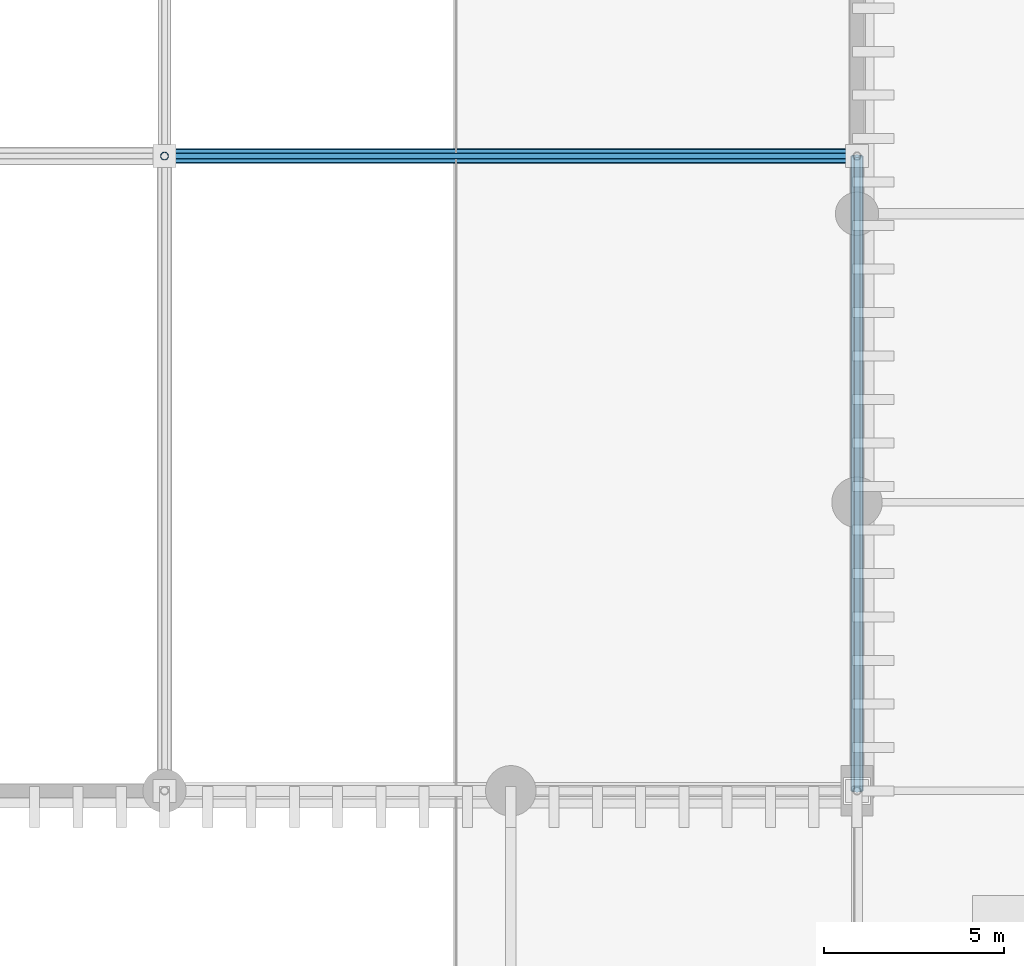
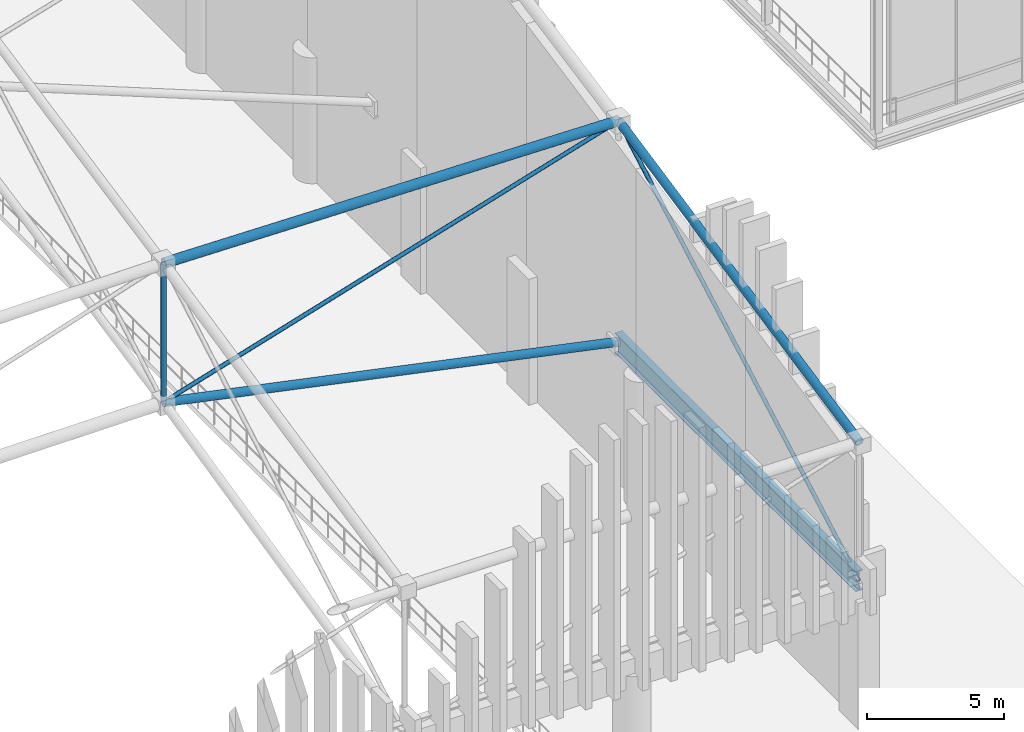
# One storey, part 63 of 193: 6 members, 1 beam.
"""IFC4 building model written with IfcOpenShell, lengths in metres."""

from ifc_helpers import new_model, si_unit, direction, frame, origin, origin_2d, place, context, subcontext, project, spatial, hollow_circle, i_section, extrude, material, material_profile, profile_set, type_object, element, save


model = new_model("IFC4")

# Units and contexts
model_context = context("Model", 3, precision=1e-05, world=origin(), true_north=direction((0.0, 1.0)))
body_context = subcontext(model_context, "Body", "Model", "MODEL_VIEW")
ifc_project = project(units=[si_unit("LENGTHUNIT", "METRE"), si_unit("AREAUNIT", "SQUARE_METRE"), si_unit("VOLUMEUNIT", "CUBIC_METRE"), si_unit("PLANEANGLEUNIT", "RADIAN"), si_unit("MASSUNIT", "GRAM", prefix="KILO")], contexts=[model_context])

# Site, building, storey
site_placement = place(None, origin())
site = spatial("IfcSite", under=ifc_project, at=site_placement, CompositionType="ELEMENT")
building_placement = place(site_placement, origin())
building = spatial("IfcBuilding", under=site, at=building_placement, Name="Danafjord Basin Convention Centre", CompositionType="ELEMENT")
storey_placement = place(building_placement, frame((0.0, 0.0, 11.39990234375)))
storey = spatial("IfcBuildingStorey", under=building, at=storey_placement, Name="L02", CompositionType="ELEMENT", Elevation=11.39990234375)

# Beam
ifc_material = material(Name="Steel S355", Category="steel")
ifc_material_profile_1 = material_profile(ifc_material, i_section(OverallWidth=0.300048828125, OverallDepth=0.89990234375, WebThickness=0.0185546875, FlangeThickness=0.034912109375, FilletRadius=0.030029296875, at=origin_2d()), Name="HEB 900")
ifc_profile_set_1 = profile_set([ifc_material_profile_1], Name="Steel S355")
beam_type = type_object("IfcBeamType", Name="BEAM-BM-HEB900", PredefinedType="BEAM", material=ifc_profile_set_1)
beam_placement = place(storey_placement, frame((115.199951171875, 56.0, 6.050048828125), z_axis=(0.0, 1.0, 0.0), x_axis=(-1.0, 0.0, 0.0)))
element("IfcBeam", 1, at=beam_placement, inside=storey, type_object=beam_type, Name="V1 space-frame perimeter ring girder", PredefinedType="BEAM", context=body_context, shape_type="SweptSolid", body=[
    extrude(i_section(OverallWidth=0.300048828125, OverallDepth=0.89990234375, WebThickness=0.0185546875, FlangeThickness=0.034912109375, FilletRadius=0.030029296875, at=origin_2d()), origin(), (0.0, 0.0, 1.0), 17.60009765625),
])

# Members
ifc_material_profile_2 = material_profile(ifc_material, hollow_circle(Radius=0.177734375, WallThickness=0.01611328125, at=origin_2d()), Name="CHS 355.6x16.0")
ifc_profile_set_2 = profile_set([ifc_material_profile_2], Name="Steel S355")
member_type_1 = type_object("IfcMemberType", Name="MEM-CH-CHS355", PredefinedType="CHORD", material=ifc_profile_set_2)
member_1_placement = place(storey_placement, frame((96.0, 73.60009765625, 10.07080078125), z_axis=(0.978768565512, 0.0, -0.204968522379), x_axis=(0.0, 1.0, 0.0)))
element("IfcMember", 2, at=member_1_placement, inside=storey, type_object=member_type_1, Name="V1 roof truss longitudinal bottom chord", PredefinedType="CHORD", context=body_context, shape_type="SweptSolid", body=[
    extrude(hollow_circle(Radius=0.177734375, WallThickness=0.01611328125, at=origin_2d()), origin(), (0.0, 0.0, 1.0), 19.616455078125),
])
member_2_placement = place(storey_placement, frame((115.199951171875, 56.0, 12.25), z_axis=(0.0, 0.979044772718, 0.203645115368), x_axis=(-1.0, 0.0, 0.0)))
element("IfcMember", 3, at=member_2_placement, inside=storey, type_object=member_type_1, Name="V1 roof truss transverse top chord", PredefinedType="CHORD", context=body_context, shape_type="SweptSolid", body=[
    extrude(hollow_circle(Radius=0.177734375, WallThickness=0.01611328125, at=origin_2d()), origin(), (0.0, 0.0, 1.0), 17.976806640625),
])
ifc_material_profile_3 = material_profile(ifc_material, hollow_circle(Radius=0.203125, WallThickness=0.02001953125, at=origin_2d()), Name="CHS 406.4x20.0")
ifc_profile_set_3 = profile_set([ifc_material_profile_3], Name="Steel S355")
member_type_2 = type_object("IfcMemberType", Name="MEM-CH-CHS406", PredefinedType="CHORD", material=ifc_profile_set_3)
member_3_placement = place(storey_placement, frame((96.0, 73.60009765625, 16.27099609375), z_axis=(0.999824159326, 0.0, -0.018752344583), x_axis=(0.0, 1.0, 0.0)))
element("IfcMember", 4, at=member_3_placement, inside=storey, type_object=member_type_2, Name="V1 roof truss longitudinal top chord", PredefinedType="CHORD", context=body_context, shape_type="SweptSolid", body=[
    extrude(hollow_circle(Radius=0.203125, WallThickness=0.02001953125, at=origin_2d()), origin(), (0.0, 0.0, 1.0), 19.203369140625),
])
ifc_material_profile_4 = material_profile(ifc_material, hollow_circle(Radius=0.109619140625, WallThickness=0.010009765625, at=origin_2d()), Name="CHS 219.1x10.0")
ifc_profile_set_4 = profile_set([ifc_material_profile_4], Name="Steel S355")
member_type_3 = type_object("IfcMemberType", Name="MEM-ST-CHS219", PredefinedType="STRUT", material=ifc_profile_set_4)
member_4_placement = place(storey_placement, frame((96.0, 73.60009765625, 10.07080078125), z_axis=(0.0, 0.0, 1.0), x_axis=(1.0, 0.0, 0.0)))
element("IfcMember", 5, at=member_4_placement, inside=storey, type_object=member_type_3, Name="V1 roof truss vertical strut", PredefinedType="STRUT", context=body_context, shape_type="SweptSolid", body=[
    extrude(hollow_circle(Radius=0.109619140625, WallThickness=0.010009765625, at=origin_2d()), origin(), (0.0, 0.0, 1.0), 6.2001953125),
])
ifc_material_profile_5 = material_profile(ifc_material, hollow_circle(Radius=0.084228515625, WallThickness=0.008056640625, at=origin_2d()), Name="CHS 168.3x8.0")
ifc_profile_set_5 = profile_set([ifc_material_profile_5], Name="Steel S355")
member_type_4 = type_object("IfcMemberType", Name="MEM-WB-CHS168", PredefinedType="MEMBER", material=ifc_profile_set_5)
member_5_placement = place(storey_placement, frame((96.0, 73.60009765625, 10.07080078125), z_axis=(0.956720719428, 0.0, 0.29100767175), x_axis=(0.0, 1.0, 0.0)))
element("IfcMember", 6, at=member_5_placement, inside=storey, type_object=member_type_4, Name="V1 space-frame longitudinal web", PredefinedType="MEMBER", context=body_context, shape_type="SweptSolid", body=[
    extrude(hollow_circle(Radius=0.084228515625, WallThickness=0.008056640625, at=origin_2d()), origin(), (0.0, 0.0, 1.0), 20.068603515625),
])
member_6_placement = place(storey_placement, frame((115.199951171875, 56.0, 6.050048828125), z_axis=(0.0, 0.872404880302, 0.488783924475), x_axis=(-1.0, 0.0, 0.0)))
element("IfcMember", 7, at=member_6_placement, inside=storey, type_object=member_type_4, Name="V1 space-frame transverse web", PredefinedType="MEMBER", context=body_context, shape_type="SweptSolid", body=[
    extrude(hollow_circle(Radius=0.084228515625, WallThickness=0.008056640625, at=origin_2d()), origin(), (0.0, 0.0, 1.0), 20.17431640625),
])

save(model, "model.ifc")
